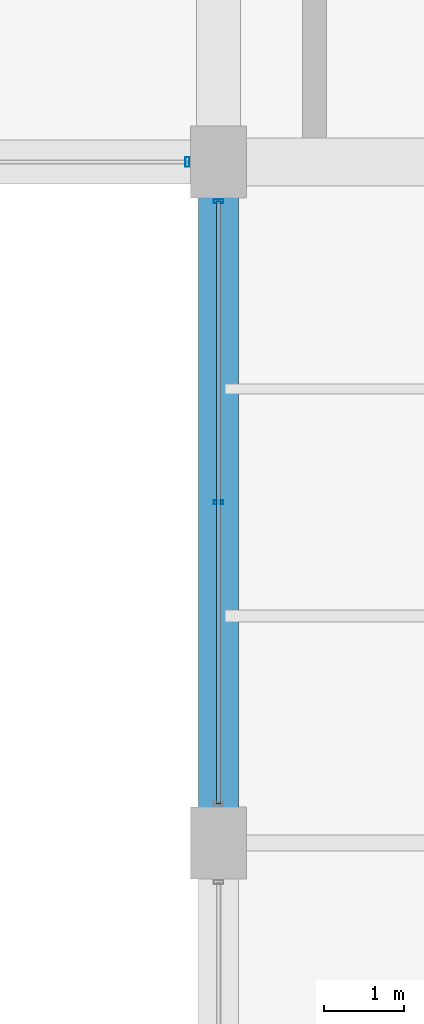
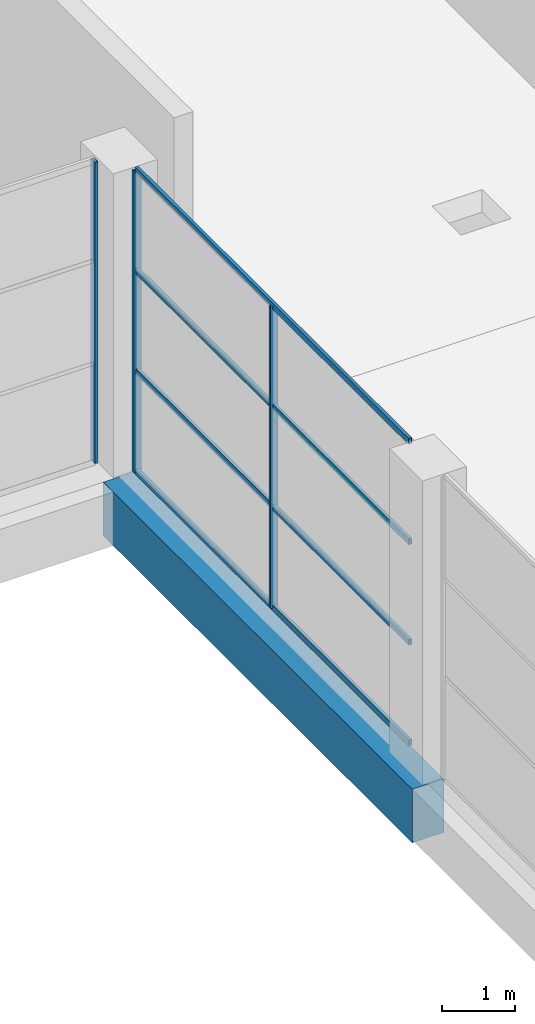
# One storey, part 54 of 90: 7 members, 1 beam, 2 elements without a shape of their own.
"""IFC4 building model written with IfcOpenShell, lengths in metres."""

from ifc_helpers import new_model, si_unit, direction, frame, origin, origin_2d, place, context, subcontext, project, spatial, rectangle, hollow_rectangle, extrude, material, material_profile, profile_set, type_object, element, aggregate, save


model = new_model("IFC4")

# Units and contexts
model_context = context("Model", 3, precision=1e-05, world=origin(), true_north=direction((0.0, 1.0)))
body_context = subcontext(model_context, "Body", "Model", "MODEL_VIEW")
ifc_project = project(units=[si_unit("LENGTHUNIT", "METRE"), si_unit("AREAUNIT", "SQUARE_METRE"), si_unit("VOLUMEUNIT", "CUBIC_METRE"), si_unit("PLANEANGLEUNIT", "RADIAN"), si_unit("MASSUNIT", "GRAM", prefix="KILO")], contexts=[model_context])

# Site, building, storey
site_placement = place(None, origin())
site = spatial("IfcSite", under=ifc_project, at=site_placement, CompositionType="ELEMENT")
building_placement = place(site_placement, origin())
building = spatial("IfcBuilding", under=site, at=building_placement, Name="Solvikara Media Centre", CompositionType="ELEMENT")
storey_placement = place(building_placement, origin())
storey = spatial("IfcBuildingStorey", under=building, at=storey_placement, Name="L00", CompositionType="ELEMENT", Elevation=0.0)

# Beam
ifc_material_1 = material(Name="Concrete fc' 45 MPa (C45/55)", Category="concrete")
ifc_material_profile_1 = material_profile(ifc_material_1, rectangle(XDim=0.5, YDim=0.89990234375, at=origin_2d()), Name="RC 500x900")
ifc_profile_set_1 = profile_set([ifc_material_profile_1], Name="Concrete fc' 45 MPa (C45/55)")
beam_type = type_object("IfcBeamType", Name="BM-09", PredefinedType="BEAM", material=ifc_profile_set_1)
beam_placement = place(storey_placement, frame((154.5, 80.5, -0.830078125), z_axis=(0.0, 1.0, 0.0), x_axis=(-1.0, 0.0, 0.0)))
element("IfcBeam", 1, at=beam_placement, inside=storey, type_object=beam_type, Name="B-L00-Y0225", PredefinedType="BEAM", context=body_context, shape_type="SweptSolid", body=[
    extrude(rectangle(XDim=0.5, YDim=0.89990234375, at=origin_2d()), origin(), (0.0, 0.0, 1.0), 8.5),
])

# Curtain wall, members
ifc_material_2 = material(Name="Anodised aluminium EN AW-6063", Category="aluminium")
curtain_wall_type = type_object("IfcCurtainWallType", Name="CW-12", PredefinedType="NOTDEFINED", material=ifc_material_2)
curtain_wall_1_placement = place(storey_placement, origin())
curtain_wall_1 = element("IfcCurtainWall", 2, at=curtain_wall_1_placement, inside=storey, type_object=curtain_wall_type, Name="CW-L00-CRT-2-S2", PredefinedType="NOTDEFINED")
ifc_material_profile_2 = material_profile(ifc_material_2, hollow_rectangle(XDim=0.050048828125, YDim=0.1201171875, WallThickness=0.0029296875, at=origin_2d()), Name="ALU-M 50x120x3")
ifc_profile_set_2 = profile_set([ifc_material_profile_2], Name="Anodised aluminium EN AW-6063")
member_type_1 = type_object("IfcMemberType", Name="MF-06", PredefinedType="MULLION", material=ifc_profile_set_2)
member_1_placement = place(storey_placement, frame((154.5, 84.75, 0.02001953125), z_axis=(0.0, 0.0, 1.0), x_axis=(0.0, 1.0, 0.0)))
member_1 = element("IfcMember", 3, at=member_1_placement, type_object=member_type_1, Name="CW-L00-CRT-2-S2-M01", PredefinedType="MULLION", context=body_context, shape_type="SweptSolid", body=[
    extrude(hollow_rectangle(XDim=0.050048828125, YDim=0.1201171875, WallThickness=0.0029296875, at=origin_2d()), origin(), (0.0, 0.0, 1.0), 5.06005859375),
])
member_2_placement = place(storey_placement, frame((154.5, 88.510009765625, 0.02001953125), z_axis=(0.0, 0.0, 1.0), x_axis=(0.0, 1.0, 0.0)))
member_2 = element("IfcMember", 4, at=member_2_placement, type_object=member_type_1, Name="CW-L00-CRT-2-S2-M02", PredefinedType="MULLION", context=body_context, shape_type="SweptSolid", body=[
    extrude(hollow_rectangle(XDim=0.050048828125, YDim=0.1201171875, WallThickness=0.0029296875, at=origin_2d()), origin(), (0.0, 0.0, 1.0), 5.06005859375),
])

# Curtain wall, member
curtain_wall_2_placement = place(storey_placement, origin())
curtain_wall_2 = element("IfcCurtainWall", 5, at=curtain_wall_2_placement, inside=storey, type_object=curtain_wall_type, Name="CW-L00-CRT-3-S1", PredefinedType="NOTDEFINED")
member_3_placement = place(storey_placement, frame((154.110107421875, 89.0, 0.02001953125), z_axis=(0.0, 0.0, 1.0), x_axis=(-1.0, 0.0, 0.0)))
member_3 = element("IfcMember", 6, at=member_3_placement, type_object=member_type_1, Name="CW-L00-CRT-3-S1-M00", PredefinedType="MULLION", context=body_context, shape_type="SweptSolid", body=[
    extrude(hollow_rectangle(XDim=0.050048828125, YDim=0.1201171875, WallThickness=0.0029296875, at=origin_2d()), origin(), (0.0, 0.0, 1.0), 5.06005859375),
])
aggregate(curtain_wall_2, [member_3])

# Member
ifc_material_profile_3 = material_profile(ifc_material_2, hollow_rectangle(XDim=0.050048828125, YDim=0.10009765625, WallThickness=0.0029296875, at=origin_2d()), Name="ALU-T 50x100x3")
ifc_profile_set_3 = profile_set([ifc_material_profile_3], Name="Anodised aluminium EN AW-6063")
member_type_2 = type_object("IfcMemberType", Name="MF-12", PredefinedType="USERDEFINED", material=ifc_profile_set_3)
member_4_placement = place(storey_placement, frame((154.5, 80.989990234375, 0.02001953125), z_axis=(0.0, 1.0, 0.0), x_axis=(-1.0, 0.0, 0.0)))
member_4 = element("IfcMember", 7, at=member_4_placement, type_object=member_type_2, Name="CW-L00-CRT-2-S2-T00", ObjectType="TRANSOM", PredefinedType="USERDEFINED", context=body_context, shape_type="SweptSolid", body=[
    extrude(hollow_rectangle(XDim=0.050048828125, YDim=0.10009765625, WallThickness=0.0029296875, at=origin_2d()), origin(), (0.0, 0.0, 1.0), 7.52001953125),
])

member_5_placement = place(storey_placement, frame((154.5, 80.989990234375, 1.70703125), z_axis=(0.0, 1.0, 0.0), x_axis=(-1.0, 0.0, 0.0)))
member_5 = element("IfcMember", 8, at=member_5_placement, type_object=member_type_2, Name="CW-L00-CRT-2-S2-T01", ObjectType="TRANSOM", PredefinedType="USERDEFINED", context=body_context, shape_type="SweptSolid", body=[
    extrude(hollow_rectangle(XDim=0.050048828125, YDim=0.10009765625, WallThickness=0.0029296875, at=origin_2d()), origin(), (0.0, 0.0, 1.0), 7.52001953125),
])

member_6_placement = place(storey_placement, frame((154.5, 80.989990234375, 3.39306640625), z_axis=(0.0, 1.0, 0.0), x_axis=(-1.0, 0.0, 0.0)))
member_6 = element("IfcMember", 9, at=member_6_placement, type_object=member_type_2, Name="CW-L00-CRT-2-S2-T02", ObjectType="TRANSOM", PredefinedType="USERDEFINED", context=body_context, shape_type="SweptSolid", body=[
    extrude(hollow_rectangle(XDim=0.050048828125, YDim=0.10009765625, WallThickness=0.0029296875, at=origin_2d()), origin(), (0.0, 0.0, 1.0), 7.52001953125),
])

member_7_placement = place(storey_placement, frame((154.5, 80.989990234375, 5.080078125), z_axis=(0.0, 1.0, 0.0), x_axis=(-1.0, 0.0, 0.0)))
member_7 = element("IfcMember", 10, at=member_7_placement, type_object=member_type_2, Name="CW-L00-CRT-2-S2-T03", ObjectType="TRANSOM", PredefinedType="USERDEFINED", context=body_context, shape_type="SweptSolid", body=[
    extrude(hollow_rectangle(XDim=0.050048828125, YDim=0.10009765625, WallThickness=0.0029296875, at=origin_2d()), origin(), (0.0, 0.0, 1.0), 7.52001953125),
])

aggregate(curtain_wall_1, [member_1, member_2, member_4, member_5, member_6, member_7])

save(model, "model.ifc")
